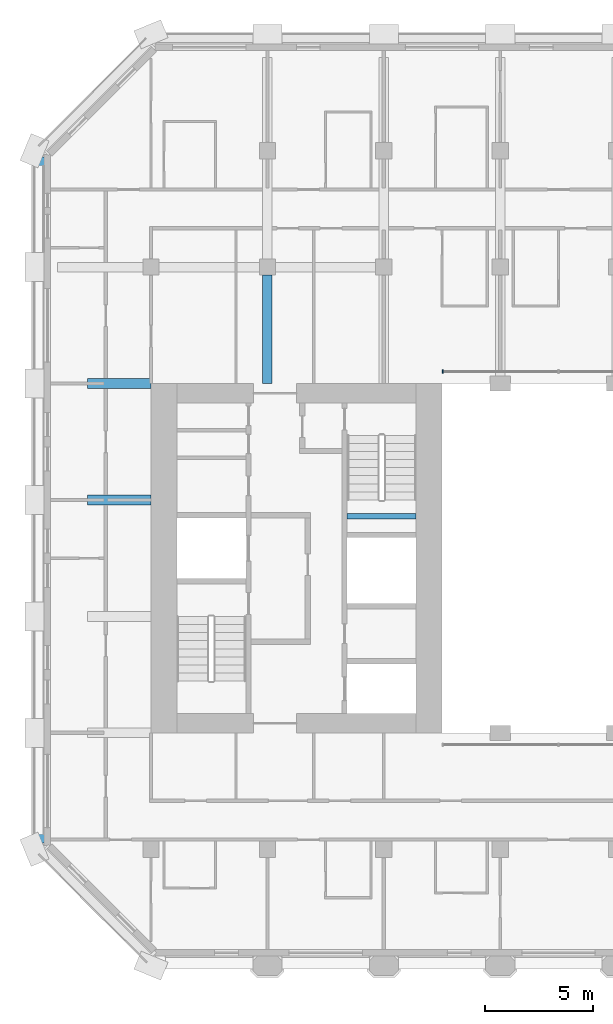
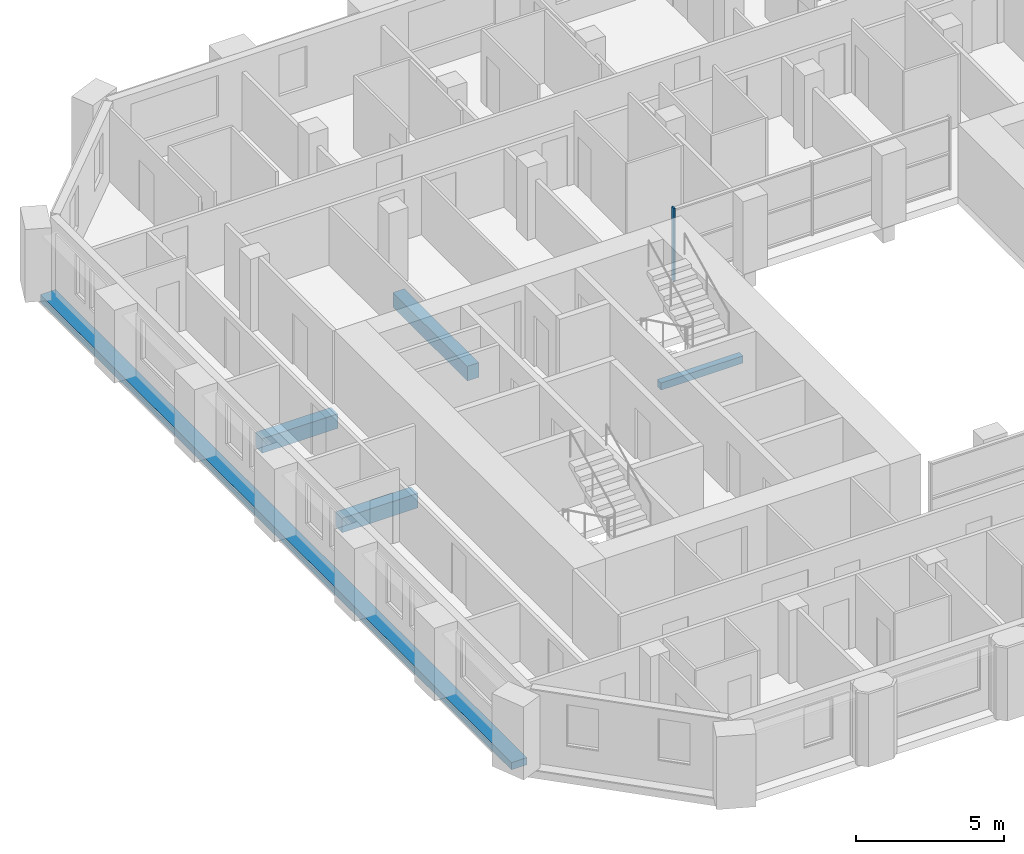
# One storey, part 3 of 14: 5 beams, 1 member, 1 element without a shape of its own.
"""IFC4 building model written with IfcOpenShell, lengths in metres."""

from ifc_helpers import new_model, si_unit, direction, frame, origin, origin_2d, place, context, subcontext, project, spatial, rectangle, extrude, material, material_profile, profile_set, type_object, element, aggregate, save


model = new_model("IFC4")

# Units and contexts
model_context = context("Model", 3, precision=1e-05, world=origin(), true_north=direction((0.0, 1.0)))
body_context = subcontext(model_context, "Body", "Model", "MODEL_VIEW")
ifc_project = project(units=[si_unit("LENGTHUNIT", "METRE"), si_unit("AREAUNIT", "SQUARE_METRE"), si_unit("VOLUMEUNIT", "CUBIC_METRE"), si_unit("PLANEANGLEUNIT", "RADIAN"), si_unit("MASSUNIT", "GRAM", prefix="KILO")], contexts=[model_context])

# Site, building, storey
site_placement = place(None, origin())
site = spatial("IfcSite", under=ifc_project, at=site_placement, CompositionType="ELEMENT")
building_placement = place(site_placement, origin())
building = spatial("IfcBuilding", under=site, at=building_placement, Name="Tabaq Tower and Sports Hall", CompositionType="ELEMENT")
storey_placement = place(building_placement, frame((0.0, 0.0, 223.60009765625)))
storey = spatial("IfcBuildingStorey", under=building, at=storey_placement, Name="L56", CompositionType="ELEMENT", Elevation=223.60009765625)

# Curtain wall, member
ifc_material_1 = material(Name="Aluminium alloy 6063-T6 framed glazing", Category="aluminium")
curtain_wall_type = type_object("IfcCurtainWallType", Name="CW1 curtain wall", PredefinedType="USERDEFINED", material=ifc_material_1)
curtain_wall_placement = place(storey_placement, origin())
curtain_wall = element("IfcCurtainWall", 1, at=curtain_wall_placement, inside=storey, type_object=curtain_wall_type, Name="Atrium glazing L56 N", ObjectType="ATRIUM ENCLOSURE", PredefinedType="USERDEFINED")
ifc_material_2 = material(Name="Aluminium alloy 6063-T6", Category="aluminium")
ifc_material_profile_1 = material_profile(ifc_material_2, rectangle(XDim=0.159912109375, YDim=0.06005859375, at=origin_2d()), Name="MULLION 160x60")
ifc_profile_set_1 = profile_set([ifc_material_profile_1], Name="Aluminium alloy 6063-T6")
member_type = type_object("IfcMemberType", Name="CW1 mullion 160x60", PredefinedType="MULLION", material=ifc_profile_set_1)
member_placement = place(storey_placement, frame((18.929931640625, 32.949951171875, 0.0), z_axis=(0.0, 0.0, 1.0), x_axis=(0.0, 1.0, 0.0)))
member = element("IfcMember", 2, at=member_placement, type_object=member_type, Name="CW1 mullion 1", PredefinedType="MULLION", context=body_context, shape_type="SweptSolid", body=[
    extrude(rectangle(XDim=0.159912109375, YDim=0.06005859375, at=origin_2d()), origin(), (0.0, 0.0, 1.0), 3.0),
])
aggregate(curtain_wall, [member])

# Beams
ifc_material_3 = material(Name="Concrete C40/50", Category="concrete")
ifc_material_profile_2 = material_profile(ifc_material_3, rectangle(XDim=0.449951171875, YDim=0.60009765625, at=origin_2d()), Name="CB 450x600")
ifc_profile_set_2 = profile_set([ifc_material_profile_2], Name="Concrete C40/50")
beam_type_1 = type_object("IfcBeamType", Name="PT CANTILEVER BEAM CB 450x600 C40/50", PredefinedType="BEAM", material=ifc_profile_set_2)
for number, where, z_axis, x_axis, name in (
    (3, (2.449951171875, 27.0, -0.60009765625), (1.0, 0.0, 0.0), (0.0, 1.0, 0.0), "Cantilever Beam L56 W5 span 1"),
    (4, (2.449951171875, 32.39990234375, -0.60009765625), (1.0, 0.0, 0.0), (0.0, 1.0, 0.0), "Cantilever Beam L56 W6 span 1"),
):
    element("IfcBeam", number, at=place(storey_placement, frame(where, z_axis=z_axis, x_axis=x_axis)), inside=storey, type_object=beam_type_1, Name=name, PredefinedType="BEAM", context=body_context, shape_type="SweptSolid", body=[
        extrude(rectangle(XDim=0.449951171875, YDim=0.60009765625, at=origin_2d()), origin(), (0.0, 0.0, 1.0), 2.949951171875),
    ])
beam_1_placement = place(storey_placement, frame((10.800048828125, 37.425048828125, -0.60009765625), z_axis=(0.0, -1.0, 0.0), x_axis=(1.0, 0.0, 0.0)))
element("IfcBeam", 5, at=beam_1_placement, inside=storey, type_object=beam_type_1, Name="Cantilever Beam L56 N2 span 3", PredefinedType="BEAM", context=body_context, shape_type="SweptSolid", body=[
    extrude(rectangle(XDim=0.449951171875, YDim=0.60009765625, at=origin_2d()), origin(), (0.0, 0.0, 1.0), 5.025146484375),
])
ifc_material_4 = material(Name="Concrete C40/50", Category="concrete")
ifc_material_profile_3 = material_profile(ifc_material_4, rectangle(XDim=0.60009765625, YDim=0.300048828125, at=origin_2d()), Name="EB 600x300")
ifc_profile_set_3 = profile_set([ifc_material_profile_3], Name="Concrete C40/50")
beam_type_2 = type_object("IfcBeamType", Name="PT EDGE BEAM EB 600x300 C40/50", PredefinedType="SPANDREL", material=ifc_profile_set_3)
beam_2_placement = place(storey_placement, frame((0.300048828125, 42.9013671875, -0.150146484375), z_axis=(0.0, -1.0, 0.0), x_axis=(1.0, 0.0, 0.0)))
element("IfcBeam", 6, at=beam_2_placement, inside=storey, type_object=beam_type_2, Name="Edge Beam L56 4", PredefinedType="SPANDREL", context=body_context, shape_type="SweptSolid", body=[
    extrude(rectangle(XDim=0.60009765625, YDim=0.300048828125, at=origin_2d()), origin(), (0.0, 0.0, 1.0), 31.802734375),
])
ifc_material_5 = material(Name="Concrete C40/50", Category="concrete")
ifc_material_profile_4 = material_profile(ifc_material_5, rectangle(XDim=0.25, YDim=0.300048828125, at=origin_2d()), Name="RC 250x300")
ifc_profile_set_4 = profile_set([ifc_material_profile_4], Name="Concrete C40/50")
beam_type_3 = type_object("IfcBeamType", Name="Stair landing beam 250x300", PredefinedType="BEAM", material=ifc_profile_set_4)
beam_3_placement = place(storey_placement, frame((14.5, 26.25, 1.2998046875), z_axis=(1.0, 0.0, 0.0), x_axis=(0.0, 1.0, 0.0)))
element("IfcBeam", 7, at=beam_3_placement, inside=storey, type_object=beam_type_3, Name="L56 ST2 landing beam 1", PredefinedType="BEAM", context=body_context, shape_type="SweptSolid", body=[
    extrude(rectangle(XDim=0.25, YDim=0.300048828125, at=origin_2d()), origin(), (0.0, 0.0, 1.0), 3.199951171875),
])

save(model, "model.ifc")
